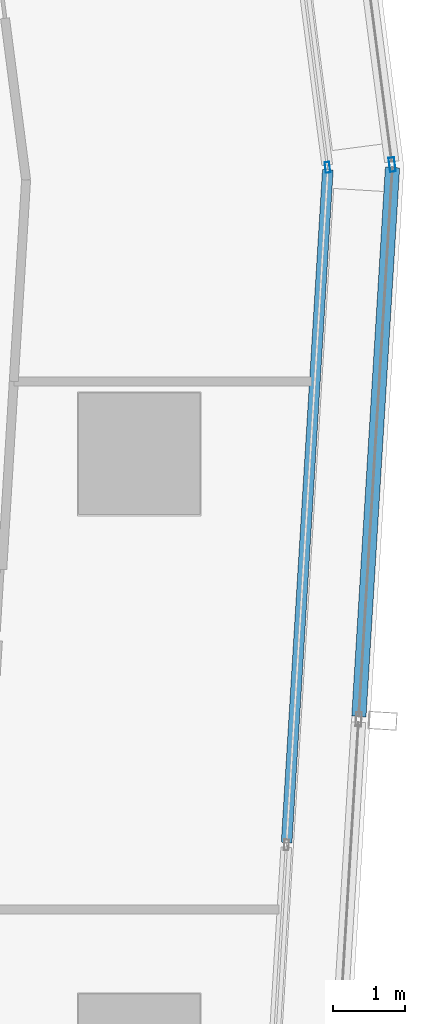
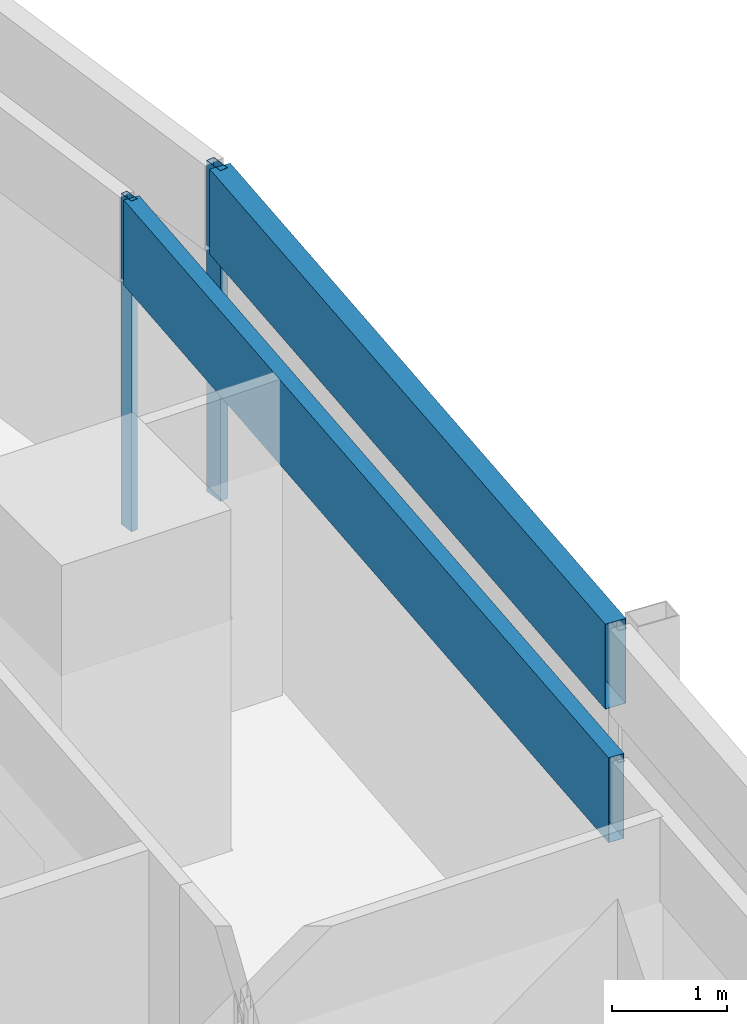
# One storey, part 25 of 40: 4 members, 4 elements without a shape of their own.
"""IFC4 building model written with IfcOpenShell, lengths in metres."""

from ifc_helpers import new_model, si_unit, direction, frame, origin, origin_2d, place, context, subcontext, project, spatial, hollow_rectangle, extrude, material, material_profile, profile_set, type_object, element, aggregate, save


model = new_model("IFC4")

# Units and contexts
model_context = context("Model", 3, precision=1e-05, world=origin(), true_north=direction((0.0, 1.0)))
body_context = subcontext(model_context, "Body", "Model", "MODEL_VIEW")
ifc_project = project(units=[si_unit("LENGTHUNIT", "METRE"), si_unit("AREAUNIT", "SQUARE_METRE"), si_unit("VOLUMEUNIT", "CUBIC_METRE"), si_unit("PLANEANGLEUNIT", "RADIAN"), si_unit("MASSUNIT", "GRAM", prefix="KILO")], contexts=[model_context])

# Site, building, storey
site_placement = place(None, origin())
site = spatial("IfcSite", under=ifc_project, at=site_placement, CompositionType="ELEMENT")
building_placement = place(site_placement, origin())
building = spatial("IfcBuilding", under=site, at=building_placement, Name="Rekha Terrace Tower", CompositionType="ELEMENT")
storey_placement = place(building_placement, frame((0.0, 0.0, 125.300048828125)))
storey = spatial("IfcBuildingStorey", under=building, at=storey_placement, Name="L31", CompositionType="ELEMENT", Elevation=125.300048828125)

# Curtain wall, member
ifc_material_1 = material(Name="Aluminium framing", Category="aluminium")
curtain_wall_type_1 = type_object("IfcCurtainWallType", Name="CW1 double skin inner glazing", PredefinedType="USERDEFINED", material=ifc_material_1)
curtain_wall_1_placement = place(storey_placement, origin())
curtain_wall_1 = element("IfcCurtainWall", 1, at=curtain_wall_1_placement, inside=storey, type_object=curtain_wall_type_1, Name="CW1 double skin inner glazing", ObjectType="DOUBLE SKIN INNER GLAZING", PredefinedType="USERDEFINED")
ifc_material_2 = material(Name="Aluminium mullion section", Category="aluminium")
ifc_material_profile_1 = material_profile(ifc_material_2, hollow_rectangle(XDim=0.06494140625, YDim=0.14990234375, WallThickness=0.00390625, at=origin_2d()), Name="AL RHS 65x150")
ifc_profile_set_1 = profile_set([ifc_material_profile_1], Name="Aluminium mullion section")
member_type_1 = type_object("IfcMemberType", Name="CW1 mullion RHS 65 x 150", PredefinedType="MULLION", material=ifc_profile_set_1)
member_1_placement = place(storey_placement, frame((69.83154296875, 46.00390625, 0.0), z_axis=(0.0, 0.0, 1.0), x_axis=(-0.991629186237, -0.129118383675, 0.0)))
member_1 = element("IfcMember", 2, at=member_1_placement, type_object=member_type_1, Name="CW1 mullion 1", PredefinedType="MULLION", context=body_context, shape_type="SweptSolid", body=[
    extrude(hollow_rectangle(XDim=0.06494140625, YDim=0.14990234375, WallThickness=0.00390625, at=origin_2d()), origin(), (0.0, 0.0, 1.0), 3.5),
])
aggregate(curtain_wall_1, [member_1])

curtain_wall_2_placement = place(storey_placement, origin())
curtain_wall_2 = element("IfcCurtainWall", 3, at=curtain_wall_2_placement, inside=storey, type_object=curtain_wall_type_1, Name="CW1 double skin inner glazing", ObjectType="DOUBLE SKIN INNER GLAZING", PredefinedType="USERDEFINED")
ifc_material_3 = material(Name="Insulated aluminium spandrel box", Category="aluminium")
ifc_material_profile_2 = material_profile(ifc_material_3, hollow_rectangle(XDim=0.14990234375, YDim=0.89990234375, WallThickness=0.0029296875, at=origin_2d()), Name="AL SPANDREL BOX 150x900")
ifc_profile_set_2 = profile_set([ifc_material_profile_2], Name="Insulated aluminium spandrel box")
member_type_2 = type_object("IfcMemberType", Name="CW1 spandrel transom 150 x 900", PredefinedType="USERDEFINED", material=ifc_profile_set_2)
member_2_placement = place(storey_placement, frame((69.259765625, 36.569091796875, 3.050048828125), z_axis=(0.061137463969, 0.998129355594, 0.0), x_axis=(-0.998129355594, 0.061137463969, 0.0)))
member_2 = element("IfcMember", 4, at=member_2_placement, type_object=member_type_2, Name="CW1 spandrel transom 3", ObjectType="TRANSOM", PredefinedType="USERDEFINED", context=body_context, shape_type="SweptSolid", body=[
    extrude(hollow_rectangle(XDim=0.14990234375, YDim=0.89990234375, WallThickness=0.0029296875, at=origin_2d()), origin(), (0.0, 0.0, 1.0), 9.420166015625),
])
aggregate(curtain_wall_2, [member_2])

curtain_wall_type_2 = type_object("IfcCurtainWallType", Name="CW2 double skin outer glazing", PredefinedType="USERDEFINED", material=ifc_material_1)
curtain_wall_3_placement = place(storey_placement, origin())
curtain_wall_3 = element("IfcCurtainWall", 5, at=curtain_wall_3_placement, inside=storey, type_object=curtain_wall_type_2, Name="CW2 double skin outer glazing", ObjectType="DOUBLE SKIN OUTER GLAZING", PredefinedType="USERDEFINED")
ifc_material_profile_3 = material_profile(ifc_material_2, hollow_rectangle(XDim=0.080078125, YDim=0.199951171875, WallThickness=0.00390625, at=origin_2d()), Name="AL RHS 80x200")
ifc_profile_set_3 = profile_set([ifc_material_profile_3], Name="Aluminium mullion section")
member_type_3 = type_object("IfcMemberType", Name="CW2 mullion RHS 80 x 200", PredefinedType="MULLION", material=ifc_profile_set_3)
member_3_placement = place(storey_placement, frame((70.734130859375, 46.042236328125, 0.0), z_axis=(0.0, 0.0, 1.0), x_axis=(-0.991629186244, -0.129118383623, 0.0)))
member_3 = element("IfcMember", 6, at=member_3_placement, type_object=member_type_3, Name="CW2 mullion 1", PredefinedType="MULLION", context=body_context, shape_type="SweptSolid", body=[
    extrude(hollow_rectangle(XDim=0.080078125, YDim=0.199951171875, WallThickness=0.00390625, at=origin_2d()), origin(), (0.0, 0.0, 1.0), 3.5),
])
aggregate(curtain_wall_3, [member_3])

curtain_wall_4_placement = place(storey_placement, origin())
curtain_wall_4 = element("IfcCurtainWall", 7, at=curtain_wall_4_placement, inside=storey, type_object=curtain_wall_type_2, Name="CW2 double skin outer glazing", ObjectType="DOUBLE SKIN OUTER GLAZING", PredefinedType="USERDEFINED")
ifc_material_profile_4 = material_profile(ifc_material_3, hollow_rectangle(XDim=0.199951171875, YDim=0.89990234375, WallThickness=0.0029296875, at=origin_2d()), Name="AL SPANDREL BOX 200x900")
ifc_profile_set_4 = profile_set([ifc_material_profile_4], Name="Insulated aluminium spandrel box")
member_type_4 = type_object("IfcMemberType", Name="CW2 spandrel transom 200 x 900", PredefinedType="USERDEFINED", material=ifc_profile_set_4)
member_4_placement = place(storey_placement, frame((70.269287109375, 38.330322265625, 3.050048828125), z_axis=(0.061142352683, 0.998129056139, 0.0), x_axis=(-0.998129056139, 0.061142352683, 0.0)))
member_4 = element("IfcMember", 8, at=member_4_placement, type_object=member_type_4, Name="CW2 spandrel transom 4", ObjectType="TRANSOM", PredefinedType="USERDEFINED", context=body_context, shape_type="SweptSolid", body=[
    extrude(hollow_rectangle(XDim=0.199951171875, YDim=0.89990234375, WallThickness=0.0029296875, at=origin_2d()), origin(), (0.0, 0.0, 1.0), 7.6865234375),
])
aggregate(curtain_wall_4, [member_4])

save(model, "model.ifc")
